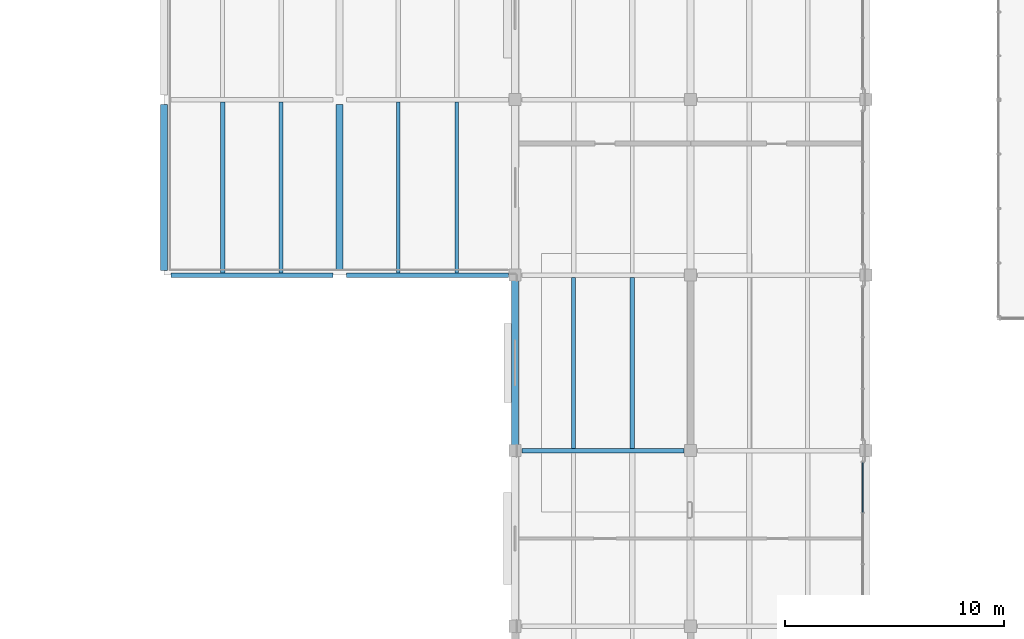
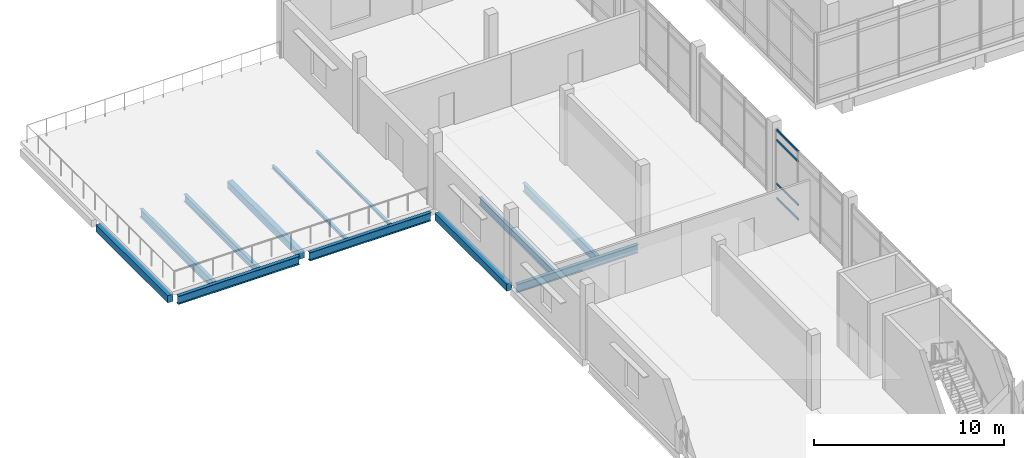
# One storey, part 10 of 47: 12 beams, 4 members, 1 element without a shape of its own.
"""IFC4 building model written with IfcOpenShell, lengths in metres."""

import ifcopenshell
import ifcopenshell.guid

model = None  # the IFC model being written
_history = None  # IfcOwnerHistory: only IFC2X3 demands one
_inside = {}  # id of a spatial element -> (the spatial element, [elements in it])
_under = {}  # id of a project, library or spatial element -> (it, [spatial elements below it])
_declared = {}  # id of a project -> (the project, [libraries it declares])
_typed = {}  # id of a type object -> (the type object, [elements of that type])
_made_of = {}  # id of a material, layer set ... -> (it, [elements and type objects made of it])


def new_model(schema):
    """Start an empty IFC model of exactly this schema.

    Asked for "IFC4X3", IfcOpenShell would pick the latest addendum, in which some entities
    have other attributes; the version numbers below select the first issue.
    IFC2X3 requires an IfcOwnerHistory on every rooted entity: one is made here for all.
    """
    global model, _history
    if schema == "IFC4X3":
        model = ifcopenshell.file(schema_version=(4, 3, 0, 0))
    else:
        model = ifcopenshell.file(schema=schema)
    _inside.clear()
    _under.clear()
    _declared.clear()
    _typed.clear()
    _made_of.clear()
    _history = None
    if model.schema == "IFC2X3":
        org = make("IfcOrganization", Name="unknown")
        user = make(
            "IfcPersonAndOrganization",
            ThePerson=make("IfcPerson", FamilyName="unknown"),
            TheOrganization=org,
        )
        app = make(
            "IfcApplication",
            ApplicationDeveloper=org,
            Version="unknown",
            ApplicationFullName="unknown",
            ApplicationIdentifier="unknown",
        )
        _history = make(
            "IfcOwnerHistory",
            OwningUser=user,
            OwningApplication=app,
            ChangeAction="ADDED",
            CreationDate=0,
        )
    return model


def make(cls, **values):
    """One entity of the class cls with the attributes given. An attribute that is None is left unset."""
    return model.create_entity(
        cls, **{name: value for name, value in values.items() if value is not None}
    )


def rooted(cls, **values):
    """An entity with a GlobalId (a new one), such as an element, a storey or a relation."""
    return make(cls, GlobalId=ifcopenshell.guid.new(), OwnerHistory=_history, **values)


def si_unit(unit_type, name, prefix=None):
    """IfcSIUnit, for example si_unit("LENGTHUNIT", "METRE", prefix="MILLI")."""
    return make("IfcSIUnit", UnitType=unit_type, Prefix=prefix, Name=name)


def assignment(units):
    """IfcUnitAssignment: the units of a project."""
    return None if units is None else make("IfcUnitAssignment", Units=units)


def point(xyz):
    """IfcCartesianPoint."""
    return None if xyz is None else make("IfcCartesianPoint", Coordinates=xyz)


def direction(xyz):
    """IfcDirection."""
    return None if xyz is None else make("IfcDirection", DirectionRatios=xyz)


def frame(location, z_axis=None, x_axis=None):
    """IfcAxis2Placement3D, a coordinate frame: its origin and axes. An axis left out is left unset."""
    return make(
        "IfcAxis2Placement3D",
        Location=point(location),
        Axis=direction(z_axis),
        RefDirection=direction(x_axis),
    )


def frame_2d(location, x_axis=None):
    """IfcAxis2Placement2D, a coordinate frame in the plane: its origin and x axis."""
    return make(
        "IfcAxis2Placement2D", Location=point(location), RefDirection=direction(x_axis)
    )


def origin():
    """The frame at (0, 0, 0) with its axes left unset."""
    return frame((0.0, 0.0, 0.0))


def origin_2d():
    """The frame at (0, 0) in the plane with its x axis left unset."""
    return frame_2d((0.0, 0.0))


def place(relative_to, where):
    """IfcLocalPlacement: puts the frame where relative to a parent placement (None: the world)."""
    return make(
        "IfcLocalPlacement", PlacementRelTo=relative_to, RelativePlacement=where
    )


def context(
    kind, dimensions, precision=None, world=None, true_north=None, identifier=None
):
    """IfcGeometricRepresentationContext, for example the 3D "Model" context."""
    return make(
        "IfcGeometricRepresentationContext",
        ContextIdentifier=identifier,
        ContextType=kind,
        CoordinateSpaceDimension=dimensions,
        Precision=precision,
        WorldCoordinateSystem=world,
        TrueNorth=true_north,
    )


def subcontext(parent, identifier, kind, view, scale=None):
    """IfcGeometricRepresentationSubContext, for example "Body" below "Model"."""
    return make(
        "IfcGeometricRepresentationSubContext",
        ContextIdentifier=identifier,
        ContextType=kind,
        ParentContext=parent,
        TargetScale=scale,
        TargetView=view,
    )


def project(units=None, contexts=None):
    """IfcProject with its units and contexts."""
    return rooted(
        "IfcProject",
        Name="project",
        RepresentationContexts=contexts,
        UnitsInContext=assignment(units),
    )


def spatial(cls, under=None, at=None, **own):
    """A site, building, storey or space (cls), placed at a placement, below another one or the project."""
    s = rooted(cls, ObjectPlacement=at, **own)
    if under is not None:
        _under.setdefault(under.id(), (under, []))[1].append(s)
    return s


def profile(cls, at=None, kind="AREA", **sizes):
    """A parametric profile (cls). Its sizes go by their IFC names, for example OverallWidth=200.0."""
    return make(cls, ProfileType=kind, Position=at, **sizes)


def rectangle(**sizes):
    """IfcRectangleProfileDef."""
    return profile("IfcRectangleProfileDef", **sizes)


def i_section(**sizes):
    """IfcIShapeProfileDef."""
    return profile("IfcIShapeProfileDef", **sizes)


def extrude(swept, where, along, depth):
    """IfcExtrudedAreaSolid: the profile swept, set in the frame where, extruded along a direction by depth."""
    return make(
        "IfcExtrudedAreaSolid",
        SweptArea=swept,
        Position=where,
        ExtrudedDirection=direction(along),
        Depth=depth,
    )


def shape(context_of_items, identifier, shape_type, items):
    """IfcShapeRepresentation: the items that make up one representation, for example the "Body"."""
    return make(
        "IfcShapeRepresentation",
        ContextOfItems=context_of_items,
        RepresentationIdentifier=identifier,
        RepresentationType=shape_type,
        Items=items,
    )


def material(Name=None, Category=None):
    """IfcMaterial."""
    return make("IfcMaterial", Name=Name, Category=Category)


def material_profile(
    of_material, cross_section, Name=None, Category=None, Priority=None
):
    """IfcMaterialProfile: a cross section and its material."""
    return make(
        "IfcMaterialProfile",
        Name=Name,
        Material=of_material,
        Profile=cross_section,
        Priority=Priority,
        Category=Category,
    )


def profile_set(profiles, Name=None, composite=None):
    """IfcMaterialProfileSet."""
    return make(
        "IfcMaterialProfileSet",
        Name=Name,
        MaterialProfiles=profiles,
        CompositeProfile=composite,
    )


def made_of(thing, what):
    """Note that an element or type object is made of a material, layer set ...; save() writes the relation."""
    if what is not None:
        _made_of.setdefault(what.id(), (what, []))[1].append(thing)
    return thing


def type_object(cls, material=None, **own):
    """A type object (cls), such as IfcWallType, which elements share."""
    return made_of(rooted(cls, **own), material)


def element(
    cls,
    number,
    at=None,
    inside=None,
    cuts=None,
    type_object=None,
    material=None,
    context=None,
    identifier="Body",
    shape_type=None,
    held_by="IfcProductDefinitionShape",
    body=None,
    shapes=None,
    **own,
):
    """One element of the class cls, such as IfcWall. Its Tag is "e" and its number.

    at: its placement. inside: the storey or other place that contains it. cuts: it is an
    opening in that element (IfcRelVoidsElement). A single representation is given by context,
    identifier, shape_type and body (its items); several are given by shapes. held_by: the class
    of the entity that holds the representations. save() writes the other relations.
    """
    e = rooted(cls, Tag="e%d" % number, ObjectPlacement=at, **own)
    if body is not None:
        shapes = [shape(context, identifier, shape_type, body)]
    if shapes is not None:
        e.Representation = make(held_by, Representations=shapes)
    if inside is not None:
        _inside.setdefault(inside.id(), (inside, []))[1].append(e)
    if cuts is not None:
        rooted(
            "IfcRelVoidsElement", RelatingBuildingElement=cuts, RelatedOpeningElement=e
        )
    if type_object is not None:
        _typed.setdefault(type_object.id(), (type_object, []))[1].append(e)
    return made_of(e, material)


def aggregate(whole, parts):
    """IfcRelAggregates: a whole, such as a stair, and the parts it consists of."""
    return rooted("IfcRelAggregates", RelatingObject=whole, RelatedObjects=parts)


def save(model, path):
    """Write the relations noted so far, then the file.

    IfcRelAggregates (storeys below a building ...), IfcRelContainedInSpatialStructure (elements
    in a storey), IfcRelDefinesByType, IfcRelAssociatesMaterial and IfcRelDeclares: one each for
    every whole, place, type object, material and project.
    """
    for whole, parts in _under.values():
        aggregate(whole, parts)
    for where, things in _inside.values():
        rooted(
            "IfcRelContainedInSpatialStructure",
            RelatedElements=things,
            RelatingStructure=where,
        )
    for kind, things in _typed.values():
        rooted("IfcRelDefinesByType", RelatedObjects=things, RelatingType=kind)
    for what, things in _made_of.values():
        rooted("IfcRelAssociatesMaterial", RelatedObjects=things, RelatingMaterial=what)
    for by, libraries in _declared.values():
        rooted("IfcRelDeclares", RelatingContext=by, RelatedDefinitions=libraries)
    model.write(path)


model = new_model("IFC4")

# Units and contexts
model_context = context("Model", 3, precision=1e-05, world=origin(), true_north=direction((0.0, 1.0)))
body_context = subcontext(model_context, "Body", "Model", "MODEL_VIEW")
ifc_project = project(units=[si_unit("LENGTHUNIT", "METRE"), si_unit("AREAUNIT", "SQUARE_METRE"), si_unit("VOLUMEUNIT", "CUBIC_METRE"), si_unit("PLANEANGLEUNIT", "RADIAN"), si_unit("MASSUNIT", "GRAM", prefix="KILO")], contexts=[model_context])

# Site, building, storey
site_placement = place(None, origin())
site = spatial("IfcSite", under=ifc_project, at=site_placement, CompositionType="ELEMENT")
building_placement = place(site_placement, origin())
building = spatial("IfcBuilding", under=site, at=building_placement, Name="Pecanmere Concourse Central Library", CompositionType="ELEMENT")
storey_placement = place(building_placement, frame((0.0, 0.0, 15.300048828125)))
storey = spatial("IfcBuildingStorey", under=building, at=storey_placement, Name="L04", CompositionType="ELEMENT", Elevation=15.300048828125)

# Beams
ifc_material_1 = material(Name="Concrete C40/50", Category="concrete")
ifc_material_profile_1 = material_profile(ifc_material_1, rectangle(XDim=0.320068359375, YDim=0.4599609375, at=origin_2d()), Name="RC 320x460")
ifc_profile_set_1 = profile_set([ifc_material_profile_1], Name="Concrete C40/50")
beam_type_1 = type_object("IfcBeamType", Name="BM_320x460", PredefinedType="BEAM", material=ifc_profile_set_1)
for number, where, z_axis, x_axis, name in (
    (1, (32.0, 90.219970703125, -0.550048828125), (0.0, 1.0, 0.0), (-1.0, 0.0, 0.0), "Primary Girder Y L04-2238"),
    (2, (40.0, 90.219970703125, -0.550048828125), (0.0, 1.0, 0.0), (-1.0, 0.0, 0.0), "Primary Girder Y L04-2244"),
    (3, (48.0, 82.219970703125, -0.550048828125), (0.0, 1.0, 0.0), (-1.0, 0.0, 0.0), "Primary Girder Y L04-2254"),
):
    element("IfcBeam", number, at=place(storey_placement, frame(where, z_axis=z_axis, x_axis=x_axis)), inside=storey, type_object=beam_type_1, Name=name, PredefinedType="BEAM", context=body_context, shape_type="SweptSolid", body=[
        extrude(rectangle(XDim=0.320068359375, YDim=0.4599609375, at=origin_2d()), origin(), (0.0, 0.0, 1.0), 7.56005859375),
    ])

# Curtain wall, members
ifc_material_2 = material(Name="Clear anodized aluminium alloy 6063-T6", Category="aluminium")
curtain_wall_type = type_object("IfcCurtainWallType", Name="CW_CLOISTER_GLAZ", PredefinedType="USERDEFINED", material=ifc_material_2)
curtain_wall_placement = place(storey_placement, origin())
curtain_wall = element("IfcCurtainWall", 4, at=curtain_wall_placement, inside=storey, type_object=curtain_wall_type, Name="Unitised Curtain Wall CW-04 L04-146", ObjectType="UNITISED CURTAIN WALL", PredefinedType="USERDEFINED")
ifc_material_3 = material(Name="Clear anodized aluminium alloy 6063-T6", Category="aluminium")
ifc_material_profile_2 = material_profile(ifc_material_3, rectangle(XDim=0.054931640625, YDim=0.139892578125, at=origin_2d()), Name="AL 55x140")
ifc_profile_set_2 = profile_set([ifc_material_profile_2], Name="Clear anodized aluminium alloy 6063-T6")
member_type = type_object("IfcMemberType", Name="CWT_140x55", PredefinedType="USERDEFINED", material=ifc_profile_set_2)
member_1_placement = place(storey_placement, frame((63.85009765625, 79.203369140625, 0.070068359375), z_axis=(0.0, 1.0, 0.0), x_axis=(-1.0, 0.0, 0.0)))
member_1 = element("IfcMember", 5, at=member_1_placement, type_object=member_type, Name="CW-04 Transom 3.1", ObjectType="TRANSOM", PredefinedType="USERDEFINED", context=body_context, shape_type="SweptSolid", body=[
    extrude(rectangle(XDim=0.054931640625, YDim=0.139892578125, at=origin_2d()), origin(), (0.0, 0.0, 1.0), 2.256591796875),
])
member_2_placement = place(storey_placement, frame((63.85009765625, 79.203369140625, 1.0), z_axis=(0.0, 1.0, 0.0), x_axis=(-1.0, 0.0, 0.0)))
member_2 = element("IfcMember", 6, at=member_2_placement, type_object=member_type, Name="CW-04 Transom 3.2", ObjectType="TRANSOM", PredefinedType="USERDEFINED", context=body_context, shape_type="SweptSolid", body=[
    extrude(rectangle(XDim=0.054931640625, YDim=0.139892578125, at=origin_2d()), origin(), (0.0, 0.0, 1.0), 2.256591796875),
])
member_3_placement = place(storey_placement, frame((63.85009765625, 79.203369140625, 3.820068359375), z_axis=(0.0, 1.0, 0.0), x_axis=(-1.0, 0.0, 0.0)))
member_3 = element("IfcMember", 7, at=member_3_placement, type_object=member_type, Name="CW-04 Transom 3.3", ObjectType="TRANSOM", PredefinedType="USERDEFINED", context=body_context, shape_type="SweptSolid", body=[
    extrude(rectangle(XDim=0.054931640625, YDim=0.139892578125, at=origin_2d()), origin(), (0.0, 0.0, 1.0), 2.256591796875),
])
member_4_placement = place(storey_placement, frame((63.85009765625, 79.203369140625, 4.449951171875), z_axis=(0.0, 1.0, 0.0), x_axis=(-1.0, 0.0, 0.0)))
member_4 = element("IfcMember", 8, at=member_4_placement, type_object=member_type, Name="CW-04 Transom 3.4", ObjectType="TRANSOM", PredefinedType="USERDEFINED", context=body_context, shape_type="SweptSolid", body=[
    extrude(rectangle(XDim=0.054931640625, YDim=0.139892578125, at=origin_2d()), origin(), (0.0, 0.0, 1.0), 2.256591796875),
])
aggregate(curtain_wall, [member_1, member_2, member_3, member_4])

# Beams
ifc_material_4 = material(Name="Structural steel ASTM A992 Grade 50", Category="steel")
ifc_material_profile_3 = material_profile(ifc_material_4, i_section(OverallWidth=0.152099609375, OverallDepth=0.152099609375, WebThickness=0.005859375, FlangeThickness=0.006591796875, at=origin_2d()), Name="W150x22.5")
ifc_profile_set_3 = profile_set([ifc_material_profile_3], Name="Structural steel ASTM A992 Grade 50")
beam_type_2 = type_object("IfcBeamType", Name="SBM_W150x22", PredefinedType="LINTEL", material=ifc_profile_set_3)
beam_1_placement = place(storey_placement, frame((45.333251953125, 90.10546875, -0.39599609375), z_axis=(0.0, 1.0, 0.0), x_axis=(-1.0, 0.0, 0.0)))
element("IfcBeam", 9, at=beam_1_placement, inside=storey, type_object=beam_type_2, Name="Secondary Floor Joist L04-2353", PredefinedType="LINTEL", context=body_context, shape_type="SweptSolid", body=[
    extrude(i_section(OverallWidth=0.152099609375, OverallDepth=0.152099609375, WebThickness=0.005859375, FlangeThickness=0.006591796875, at=origin_2d()), origin(), (0.0, 0.0, 1.0), 7.7890625),
])
ifc_material_5 = material(Name="Structural steel ASTM A992 Grade 50", Category="steel")
ifc_material_profile_4 = material_profile(ifc_material_5, i_section(OverallWidth=0.1650390625, OverallDepth=0.200927734375, WebThickness=0.006103515625, FlangeThickness=0.01025390625, at=origin_2d()), Name="W200x35.9")
ifc_profile_set_4 = profile_set([ifc_material_profile_4], Name="Structural steel ASTM A992 Grade 50")
beam_type_3 = type_object("IfcBeamType", Name="SBM_W200x36", PredefinedType="LINTEL", material=ifc_profile_set_4)
beam_2_placement = place(storey_placement, frame((42.666748046875, 90.10546875, -0.420654296875), z_axis=(0.0, 1.0, 0.0), x_axis=(-1.0, 0.0, 0.0)))
element("IfcBeam", 10, at=beam_2_placement, inside=storey, type_object=beam_type_3, Name="Secondary Floor Joist L04-2352", PredefinedType="LINTEL", context=body_context, shape_type="SweptSolid", body=[
    extrude(i_section(OverallWidth=0.1650390625, OverallDepth=0.200927734375, WebThickness=0.006103515625, FlangeThickness=0.01025390625, at=origin_2d()), origin(), (0.0, 0.0, 1.0), 7.7890625),
])
ifc_material_6 = material(Name="Structural steel ASTM A992 Grade 50", Category="steel")
ifc_material_profile_5 = material_profile(ifc_material_6, i_section(OverallWidth=0.194091796875, OverallDepth=0.468994140625, WebThickness=0.0126953125, FlangeThickness=0.0205078125, at=origin_2d()), Name="W460x106")
ifc_profile_set_5 = profile_set([ifc_material_profile_5], Name="Structural steel ASTM A992 Grade 50")
beam_type_4 = type_object("IfcBeamType", Name="SBM_W460x106", PredefinedType="USERDEFINED", material=ifc_profile_set_5)
for number, where, z_axis, x_axis, name in (
    (11, (37.333251953125, 90.10546875, -0.554443359375), (0.0, 1.0, 0.0), (-1.0, 0.0, 0.0), "Secondary Floor Joist L04-2349"),
    (12, (50.666748046875, 82.10546875, -0.554443359375), (0.0, 1.0, 0.0), (-1.0, 0.0, 0.0), "Secondary Floor Joist L04-2364"),
):
    element("IfcBeam", number, at=place(storey_placement, frame(where, z_axis=z_axis, x_axis=x_axis)), inside=storey, type_object=beam_type_4, Name=name, ObjectType="GIRDER", PredefinedType="USERDEFINED", context=body_context, shape_type="SweptSolid", body=[
        extrude(i_section(OverallWidth=0.194091796875, OverallDepth=0.468994140625, WebThickness=0.0126953125, FlangeThickness=0.0205078125, at=origin_2d()), origin(), (0.0, 0.0, 1.0), 7.7890625),
    ])
ifc_material_7 = material(Name="Structural steel ASTM A992 Grade 50", Category="steel")
ifc_material_profile_6 = material_profile(ifc_material_7, i_section(OverallWidth=0.2109375, OverallDepth=0.5390625, WebThickness=0.01171875, FlangeThickness=0.018798828125, at=origin_2d()), Name="W530x109")
ifc_profile_set_6 = profile_set([ifc_material_profile_6], Name="Structural steel ASTM A992 Grade 50")
beam_type_5 = type_object("IfcBeamType", Name="SBM_W530x109", PredefinedType="USERDEFINED", material=ifc_profile_set_6)
for number, where, z_axis, x_axis, name in (
    (13, (48.31005859375, 82.0, -0.589599609375), (1.0, 0.0, 0.0), (0.0, 1.0, 0.0), "Primary Girder X L04-2175"),
    (14, (32.31005859375, 90.0, -0.589599609375), (1.0, 0.0, 0.0), (0.0, 1.0, 0.0), "Primary Girder X L04-2179"),
    (15, (40.31005859375, 90.0, -0.589599609375), (1.0, 0.0, 0.0), (0.0, 1.0, 0.0), "Primary Girder X L04-2180"),
):
    element("IfcBeam", number, at=place(storey_placement, frame(where, z_axis=z_axis, x_axis=x_axis)), inside=storey, type_object=beam_type_5, Name=name, ObjectType="GIRDER", PredefinedType="USERDEFINED", context=body_context, shape_type="SweptSolid", body=[
        extrude(i_section(OverallWidth=0.2109375, OverallDepth=0.5390625, WebThickness=0.01171875, FlangeThickness=0.018798828125, at=origin_2d()), origin(), (0.0, 0.0, 1.0), 7.3798828125),
    ])
beam_3_placement = place(storey_placement, frame((53.333251953125, 82.10546875, -0.589599609375), z_axis=(0.0, 1.0, 0.0), x_axis=(-1.0, 0.0, 0.0)))
element("IfcBeam", 16, at=beam_3_placement, inside=storey, type_object=beam_type_5, Name="Secondary Floor Joist L04-2365", ObjectType="GIRDER", PredefinedType="USERDEFINED", context=body_context, shape_type="SweptSolid", body=[
    extrude(i_section(OverallWidth=0.2109375, OverallDepth=0.5390625, WebThickness=0.01171875, FlangeThickness=0.018798828125, at=origin_2d()), origin(), (0.0, 0.0, 1.0), 7.7890625),
])
ifc_material_8 = material(Name="Structural steel ASTM A992 Grade 50", Category="steel")
ifc_material_profile_7 = material_profile(ifc_material_8, i_section(OverallWidth=0.208984375, OverallDepth=0.532958984375, WebThickness=0.01025390625, FlangeThickness=0.015625, at=origin_2d()), Name="W530x92")
ifc_profile_set_7 = profile_set([ifc_material_profile_7], Name="Structural steel ASTM A992 Grade 50")
beam_type_6 = type_object("IfcBeamType", Name="SBM_W530x92", PredefinedType="BEAM", material=ifc_profile_set_7)
beam_4_placement = place(storey_placement, frame((34.666748046875, 90.10546875, -0.586669921875), z_axis=(0.0, 1.0, 0.0), x_axis=(-1.0, 0.0, 0.0)))
element("IfcBeam", 17, at=beam_4_placement, inside=storey, type_object=beam_type_6, Name="Secondary Floor Joist L04-2348", PredefinedType="BEAM", context=body_context, shape_type="SweptSolid", body=[
    extrude(i_section(OverallWidth=0.208984375, OverallDepth=0.532958984375, WebThickness=0.01025390625, FlangeThickness=0.015625, at=origin_2d()), origin(), (0.0, 0.0, 1.0), 7.7890625),
])

save(model, "model.ifc")
